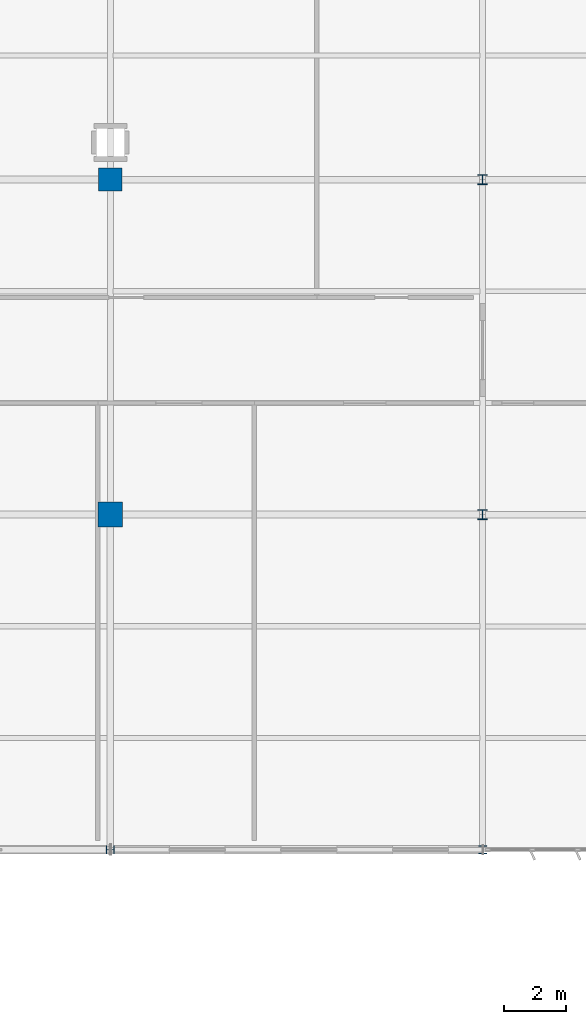
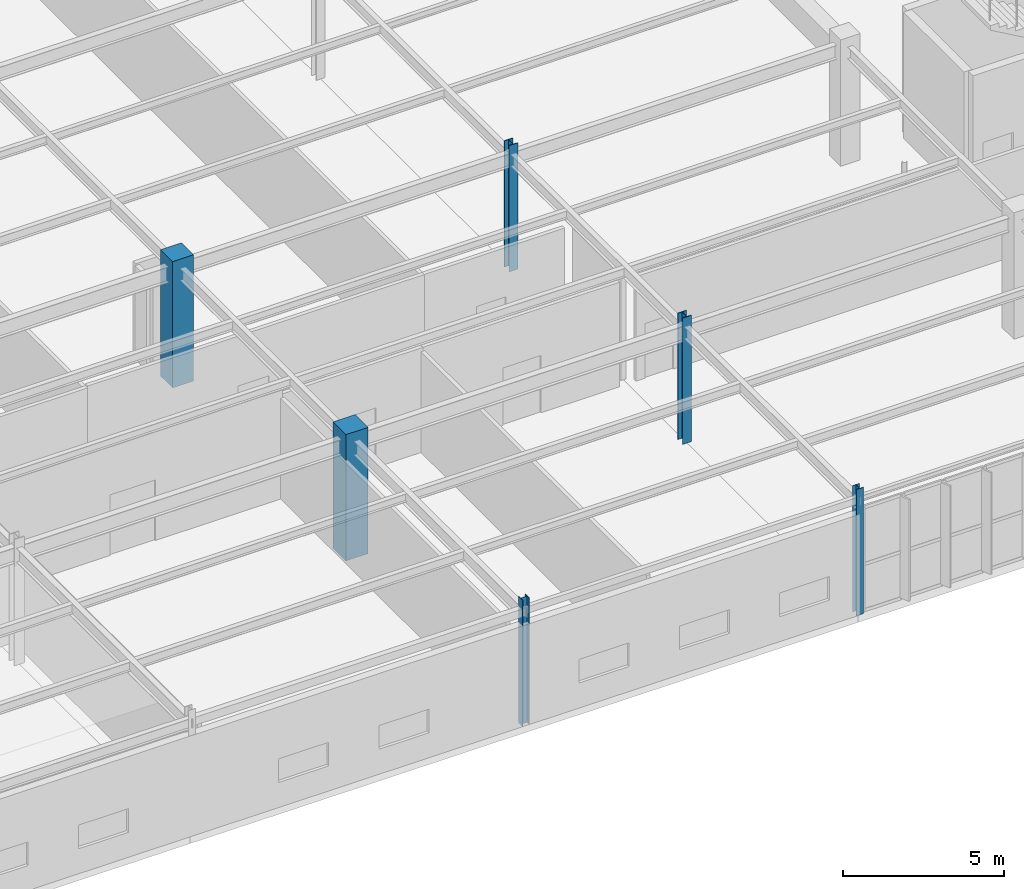
# One storey, part 4 of 199: 6 columns.
"""IFC4 building model written with IfcOpenShell, lengths in metres."""

from ifc_helpers import new_model, si_unit, direction, frame, origin, origin_2d, place, context, subcontext, project, spatial, rectangle, i_section, extrude, material, material_profile, profile_set, type_object, element, save


model = new_model("IFC4")

# Units and contexts
model_context = context("Model", 3, precision=1e-05, world=origin(), true_north=direction((0.0, 1.0)))
body_context = subcontext(model_context, "Body", "Model", "MODEL_VIEW")
ifc_project = project(units=[si_unit("LENGTHUNIT", "METRE"), si_unit("AREAUNIT", "SQUARE_METRE"), si_unit("VOLUMEUNIT", "CUBIC_METRE"), si_unit("PLANEANGLEUNIT", "RADIAN"), si_unit("MASSUNIT", "GRAM", prefix="KILO")], contexts=[model_context])

# Site, building, storey
site_placement = place(None, origin())
site = spatial("IfcSite", under=ifc_project, at=site_placement, CompositionType="ELEMENT")
building_placement = place(site_placement, origin())
building = spatial("IfcBuilding", under=site, at=building_placement, Name="Tarnwether General Hospital", CompositionType="ELEMENT")
storey_placement = place(building_placement, origin())
storey = spatial("IfcBuildingStorey", under=building, at=storey_placement, Name="L00", CompositionType="ELEMENT", Elevation=0.0)

# Columns
ifc_material_1 = material(Name="Steel Grade 350 (350 MPa)", Category="steel")
ifc_material_profile_1 = material_profile(ifc_material_1, i_section(OverallWidth=0.31103515625, OverallDepth=0.326904296875, WebThickness=0.015625, FlangeThickness=0.02490234375, at=origin_2d()), Name="310UC158")
ifc_profile_set_1 = profile_set([ifc_material_profile_1], Name="Steel Grade 350 (350 MPa)")
column_type_1 = type_object("IfcColumnType", Name="COL-05", PredefinedType="COLUMN", material=ifc_profile_set_1)
column_1_placement = place(storey_placement, frame((48.0, 10.800048828125, 0.0), z_axis=(0.0, 0.0, 1.0), x_axis=(1.0, 0.0, 0.0)))
element("IfcColumn", 1, at=column_1_placement, inside=storey, type_object=column_type_1, Name="Column COLG-L00-4800_1080", PredefinedType="COLUMN", context=body_context, shape_type="SweptSolid", body=[
    extrude(i_section(OverallWidth=0.31103515625, OverallDepth=0.326904296875, WebThickness=0.015625, FlangeThickness=0.02490234375, at=origin_2d()), origin(), (0.0, 0.0, 1.0), 4.800048828125),
])
ifc_material_2 = material(Name="Steel Grade 350 (350 MPa)", Category="steel")
ifc_material_profile_2 = material_profile(ifc_material_2, i_section(OverallWidth=0.30908203125, OverallDepth=0.321044921875, WebThickness=0.013916015625, FlangeThickness=0.021728515625, at=origin_2d()), Name="310UC137")
ifc_profile_set_2 = profile_set([ifc_material_profile_2], Name="Steel Grade 350 (350 MPa)")
column_type_2 = type_object("IfcColumnType", Name="COL-06", PredefinedType="COLUMN", material=ifc_profile_set_2)
column_2_placement = place(storey_placement, frame((48.0, 21.60009765625, 0.0), z_axis=(0.0, 0.0, 1.0), x_axis=(1.0, 0.0, 0.0)))
element("IfcColumn", 2, at=column_2_placement, inside=storey, type_object=column_type_2, Name="Column COLG-L00-4800_2160", PredefinedType="COLUMN", context=body_context, shape_type="SweptSolid", body=[
    extrude(i_section(OverallWidth=0.30908203125, OverallDepth=0.321044921875, WebThickness=0.013916015625, FlangeThickness=0.021728515625, at=origin_2d()), origin(), (0.0, 0.0, 1.0), 4.800048828125),
])
ifc_material_3 = material(Name="Concrete 50 MPa", Category="concrete")
ifc_material_profile_3 = material_profile(ifc_material_3, rectangle(XDim=0.800048828125, YDim=0.800048828125, at=origin_2d()), Name="RC-COL-800x800")
ifc_profile_set_3 = profile_set([ifc_material_profile_3], Name="Concrete 50 MPa")
column_type_3 = type_object("IfcColumnType", Name="COL-16", PredefinedType="COLUMN", material=ifc_profile_set_3)
column_3_placement = place(storey_placement, frame((36.0, 10.800048828125, 0.0), z_axis=(0.0, 0.0, 1.0), x_axis=(0.0, 1.0, 0.0)))
element("IfcColumn", 3, at=column_3_placement, inside=storey, type_object=column_type_3, Name="Column COLG-L00-3600_1080", PredefinedType="COLUMN", context=body_context, shape_type="SweptSolid", body=[
    extrude(rectangle(XDim=0.800048828125, YDim=0.800048828125, at=origin_2d()), origin(), (0.0, 0.0, 1.0), 4.800048828125),
])
ifc_material_4 = material(Name="Concrete 50 MPa", Category="concrete")
ifc_material_profile_4 = material_profile(ifc_material_4, rectangle(XDim=0.75, YDim=0.75, at=origin_2d()), Name="RC-COL-750x750")
ifc_profile_set_4 = profile_set([ifc_material_profile_4], Name="Concrete 50 MPa")
column_type_4 = type_object("IfcColumnType", Name="COL-17", PredefinedType="COLUMN", material=ifc_profile_set_4)
column_4_placement = place(storey_placement, frame((36.0, 21.60009765625, 0.0), z_axis=(0.0, 0.0, 1.0), x_axis=(0.0, 1.0, 0.0)))
element("IfcColumn", 4, at=column_4_placement, inside=storey, type_object=column_type_4, Name="Column COLG-L00-3600_2160", PredefinedType="COLUMN", context=body_context, shape_type="SweptSolid", body=[
    extrude(rectangle(XDim=0.75, YDim=0.75, at=origin_2d()), origin(), (0.0, 0.0, 1.0), 4.800048828125),
])
ifc_material_5 = material(Name="Steel Grade 350 (350 MPa)", Category="steel")
ifc_material_profile_5 = material_profile(ifc_material_5, i_section(OverallWidth=0.25390625, OverallDepth=0.25390625, WebThickness=0.008544921875, FlangeThickness=0.01416015625, at=origin_2d()), Name="250UC72.9")
ifc_profile_set_5 = profile_set([ifc_material_profile_5], Name="Steel Grade 350 (350 MPa)")
column_type_5 = type_object("IfcColumnType", Name="COL-24", PredefinedType="COLUMN", material=ifc_profile_set_5)
for number, where, z_axis, x_axis, name in (
    (5, (36.0, 0.0, 0.0), (0.0, 0.0, 1.0), (0.0, 1.0, 0.0), "Column COLG-L00-3600_0"),
    (6, (48.0, 0.0, 0.0), (0.0, 0.0, 1.0), (1.0, 0.0, 0.0), "Column COLG-L00-4800_0"),
):
    element("IfcColumn", number, at=place(storey_placement, frame(where, z_axis=z_axis, x_axis=x_axis)), inside=storey, type_object=column_type_5, Name=name, PredefinedType="COLUMN", context=body_context, shape_type="SweptSolid", body=[
        extrude(i_section(OverallWidth=0.25390625, OverallDepth=0.25390625, WebThickness=0.008544921875, FlangeThickness=0.01416015625, at=origin_2d()), origin(), (0.0, 0.0, 1.0), 4.800048828125),
    ])

save(model, "model.ifc")
